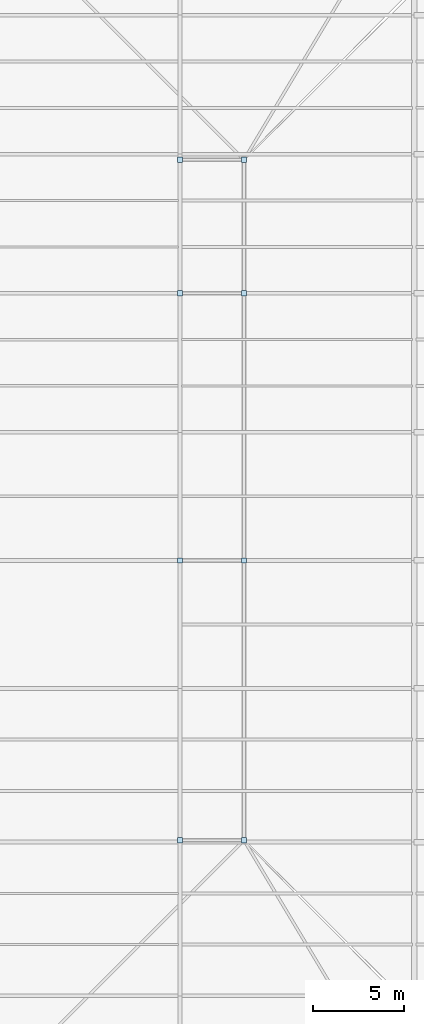
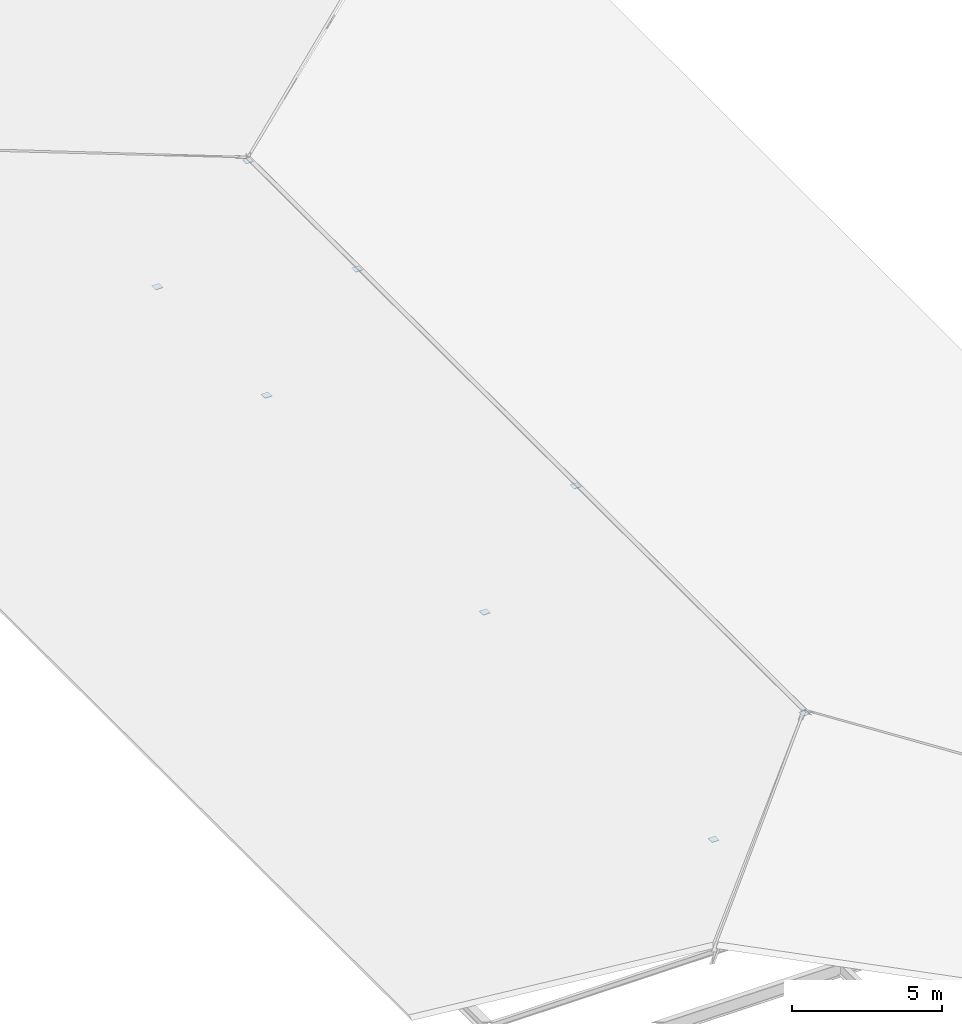
# One storey, part 14 of 14: 8 plates.
"""IFC4 building model written with IfcOpenShell, lengths in metres."""

import ifcopenshell
import ifcopenshell.guid

model = None  # the IFC model being written
_history = None  # IfcOwnerHistory: only IFC2X3 demands one
_inside = {}  # id of a spatial element -> (the spatial element, [elements in it])
_under = {}  # id of a project, library or spatial element -> (it, [spatial elements below it])
_declared = {}  # id of a project -> (the project, [libraries it declares])
_typed = {}  # id of a type object -> (the type object, [elements of that type])
_made_of = {}  # id of a material, layer set ... -> (it, [elements and type objects made of it])


def new_model(schema):
    """Start an empty IFC model of exactly this schema.

    Asked for "IFC4X3", IfcOpenShell would pick the latest addendum, in which some entities
    have other attributes; the version numbers below select the first issue.
    IFC2X3 requires an IfcOwnerHistory on every rooted entity: one is made here for all.
    """
    global model, _history
    if schema == "IFC4X3":
        model = ifcopenshell.file(schema_version=(4, 3, 0, 0))
    else:
        model = ifcopenshell.file(schema=schema)
    _inside.clear()
    _under.clear()
    _declared.clear()
    _typed.clear()
    _made_of.clear()
    _history = None
    if model.schema == "IFC2X3":
        org = make("IfcOrganization", Name="unknown")
        user = make(
            "IfcPersonAndOrganization",
            ThePerson=make("IfcPerson", FamilyName="unknown"),
            TheOrganization=org,
        )
        app = make(
            "IfcApplication",
            ApplicationDeveloper=org,
            Version="unknown",
            ApplicationFullName="unknown",
            ApplicationIdentifier="unknown",
        )
        _history = make(
            "IfcOwnerHistory",
            OwningUser=user,
            OwningApplication=app,
            ChangeAction="ADDED",
            CreationDate=0,
        )
    return model


def make(cls, **values):
    """One entity of the class cls with the attributes given. An attribute that is None is left unset."""
    return model.create_entity(
        cls, **{name: value for name, value in values.items() if value is not None}
    )


def rooted(cls, **values):
    """An entity with a GlobalId (a new one), such as an element, a storey or a relation."""
    return make(cls, GlobalId=ifcopenshell.guid.new(), OwnerHistory=_history, **values)


def si_unit(unit_type, name, prefix=None):
    """IfcSIUnit, for example si_unit("LENGTHUNIT", "METRE", prefix="MILLI")."""
    return make("IfcSIUnit", UnitType=unit_type, Prefix=prefix, Name=name)


def assignment(units):
    """IfcUnitAssignment: the units of a project."""
    return None if units is None else make("IfcUnitAssignment", Units=units)


def point(xyz):
    """IfcCartesianPoint."""
    return None if xyz is None else make("IfcCartesianPoint", Coordinates=xyz)


def direction(xyz):
    """IfcDirection."""
    return None if xyz is None else make("IfcDirection", DirectionRatios=xyz)


def frame(location, z_axis=None, x_axis=None):
    """IfcAxis2Placement3D, a coordinate frame: its origin and axes. An axis left out is left unset."""
    return make(
        "IfcAxis2Placement3D",
        Location=point(location),
        Axis=direction(z_axis),
        RefDirection=direction(x_axis),
    )


def frame_2d(location, x_axis=None):
    """IfcAxis2Placement2D, a coordinate frame in the plane: its origin and x axis."""
    return make(
        "IfcAxis2Placement2D", Location=point(location), RefDirection=direction(x_axis)
    )


def origin():
    """The frame at (0, 0, 0) with its axes left unset."""
    return frame((0.0, 0.0, 0.0))


def origin_2d():
    """The frame at (0, 0) in the plane with its x axis left unset."""
    return frame_2d((0.0, 0.0))


def place(relative_to, where):
    """IfcLocalPlacement: puts the frame where relative to a parent placement (None: the world)."""
    return make(
        "IfcLocalPlacement", PlacementRelTo=relative_to, RelativePlacement=where
    )


def context(
    kind, dimensions, precision=None, world=None, true_north=None, identifier=None
):
    """IfcGeometricRepresentationContext, for example the 3D "Model" context."""
    return make(
        "IfcGeometricRepresentationContext",
        ContextIdentifier=identifier,
        ContextType=kind,
        CoordinateSpaceDimension=dimensions,
        Precision=precision,
        WorldCoordinateSystem=world,
        TrueNorth=true_north,
    )


def subcontext(parent, identifier, kind, view, scale=None):
    """IfcGeometricRepresentationSubContext, for example "Body" below "Model"."""
    return make(
        "IfcGeometricRepresentationSubContext",
        ContextIdentifier=identifier,
        ContextType=kind,
        ParentContext=parent,
        TargetScale=scale,
        TargetView=view,
    )


def project(units=None, contexts=None):
    """IfcProject with its units and contexts."""
    return rooted(
        "IfcProject",
        Name="project",
        RepresentationContexts=contexts,
        UnitsInContext=assignment(units),
    )


def spatial(cls, under=None, at=None, **own):
    """A site, building, storey or space (cls), placed at a placement, below another one or the project."""
    s = rooted(cls, ObjectPlacement=at, **own)
    if under is not None:
        _under.setdefault(under.id(), (under, []))[1].append(s)
    return s


def profile(cls, at=None, kind="AREA", **sizes):
    """A parametric profile (cls). Its sizes go by their IFC names, for example OverallWidth=200.0."""
    return make(cls, ProfileType=kind, Position=at, **sizes)


def rectangle(**sizes):
    """IfcRectangleProfileDef."""
    return profile("IfcRectangleProfileDef", **sizes)


def extrude(swept, where, along, depth):
    """IfcExtrudedAreaSolid: the profile swept, set in the frame where, extruded along a direction by depth."""
    return make(
        "IfcExtrudedAreaSolid",
        SweptArea=swept,
        Position=where,
        ExtrudedDirection=direction(along),
        Depth=depth,
    )


def shape(context_of_items, identifier, shape_type, items):
    """IfcShapeRepresentation: the items that make up one representation, for example the "Body"."""
    return make(
        "IfcShapeRepresentation",
        ContextOfItems=context_of_items,
        RepresentationIdentifier=identifier,
        RepresentationType=shape_type,
        Items=items,
    )


def material(Name=None, Category=None):
    """IfcMaterial."""
    return make("IfcMaterial", Name=Name, Category=Category)


def layer(
    of_material, thickness, ventilated=None, Name=None, Category=None, Priority=None
):
    """IfcMaterialLayer: one layer of a wall or slab, of a material (None: an air gap)."""
    return make(
        "IfcMaterialLayer",
        Material=of_material,
        LayerThickness=thickness,
        IsVentilated=ventilated,
        Name=Name,
        Category=Category,
        Priority=Priority,
    )


def layer_set(layers, Name=None):
    """IfcMaterialLayerSet."""
    return make("IfcMaterialLayerSet", MaterialLayers=layers, LayerSetName=Name)


def made_of(thing, what):
    """Note that an element or type object is made of a material, layer set ...; save() writes the relation."""
    if what is not None:
        _made_of.setdefault(what.id(), (what, []))[1].append(thing)
    return thing


def type_object(cls, material=None, **own):
    """A type object (cls), such as IfcWallType, which elements share."""
    return made_of(rooted(cls, **own), material)


def element(
    cls,
    number,
    at=None,
    inside=None,
    cuts=None,
    type_object=None,
    material=None,
    context=None,
    identifier="Body",
    shape_type=None,
    held_by="IfcProductDefinitionShape",
    body=None,
    shapes=None,
    **own,
):
    """One element of the class cls, such as IfcWall. Its Tag is "e" and its number.

    at: its placement. inside: the storey or other place that contains it. cuts: it is an
    opening in that element (IfcRelVoidsElement). A single representation is given by context,
    identifier, shape_type and body (its items); several are given by shapes. held_by: the class
    of the entity that holds the representations. save() writes the other relations.
    """
    e = rooted(cls, Tag="e%d" % number, ObjectPlacement=at, **own)
    if body is not None:
        shapes = [shape(context, identifier, shape_type, body)]
    if shapes is not None:
        e.Representation = make(held_by, Representations=shapes)
    if inside is not None:
        _inside.setdefault(inside.id(), (inside, []))[1].append(e)
    if cuts is not None:
        rooted(
            "IfcRelVoidsElement", RelatingBuildingElement=cuts, RelatedOpeningElement=e
        )
    if type_object is not None:
        _typed.setdefault(type_object.id(), (type_object, []))[1].append(e)
    return made_of(e, material)


def aggregate(whole, parts):
    """IfcRelAggregates: a whole, such as a stair, and the parts it consists of."""
    return rooted("IfcRelAggregates", RelatingObject=whole, RelatedObjects=parts)


def save(model, path):
    """Write the relations noted so far, then the file.

    IfcRelAggregates (storeys below a building ...), IfcRelContainedInSpatialStructure (elements
    in a storey), IfcRelDefinesByType, IfcRelAssociatesMaterial and IfcRelDeclares: one each for
    every whole, place, type object, material and project.
    """
    for whole, parts in _under.values():
        aggregate(whole, parts)
    for where, things in _inside.values():
        rooted(
            "IfcRelContainedInSpatialStructure",
            RelatedElements=things,
            RelatingStructure=where,
        )
    for kind, things in _typed.values():
        rooted("IfcRelDefinesByType", RelatedObjects=things, RelatingType=kind)
    for what, things in _made_of.values():
        rooted("IfcRelAssociatesMaterial", RelatedObjects=things, RelatingMaterial=what)
    for by, libraries in _declared.values():
        rooted("IfcRelDeclares", RelatingContext=by, RelatedDefinitions=libraries)
    model.write(path)


model = new_model("IFC4")

# Units and contexts
model_context = context("Model", 3, precision=1e-05, world=origin(), true_north=direction((0.0, 1.0)))
body_context = subcontext(model_context, "Body", "Model", "MODEL_VIEW")
ifc_project = project(units=[si_unit("LENGTHUNIT", "METRE"), si_unit("AREAUNIT", "SQUARE_METRE"), si_unit("VOLUMEUNIT", "CUBIC_METRE"), si_unit("PLANEANGLEUNIT", "RADIAN"), si_unit("MASSUNIT", "GRAM", prefix="KILO")], contexts=[model_context])

# Site, building, storey
site_placement = place(None, origin())
site = spatial("IfcSite", under=ifc_project, at=site_placement, CompositionType="ELEMENT")
building_placement = place(site_placement, origin())
building = spatial("IfcBuilding", under=site, at=building_placement, Name="Vekula Escarpment Museum", CompositionType="ELEMENT")
storey_placement = place(building_placement, frame((0.0, 0.0, 30.60009765625)))
storey = spatial("IfcBuildingStorey", under=building, at=storey_placement, Name="RF", CompositionType="ELEMENT", Elevation=30.60009765625)

# Plates
ifc_material = material(Name="Steel S355", Category="steel")
ifc_layer = layer(ifc_material, 0.01611328125)
ifc_layer_set = layer_set([ifc_layer], Name="Steel S355")
plate_type = type_object("IfcPlateType", Name="PL-CAP-16", PredefinedType="SHEET", material=ifc_layer_set)
for number, where, z_axis, x_axis, name in (
    (1, (179.0, 68.10009765625, -0.365234375), (0.0, 0.0, 1.0), (1.0, 0.0, 0.0), "Hollow section end cap CP-16"),
    (2, (182.5, 68.10009765625, 3.55908203125), (0.0, 0.0, 1.0), (1.0, 0.0, 0.0), "Hollow section end cap CP-16"),
    (3, (179.0, 83.39990234375, -0.365234375), (0.0, 0.0, 1.0), (1.0, 0.0, 0.0), "Hollow section end cap CP-16"),
    (4, (182.5, 83.39990234375, 3.55908203125), (0.0, 0.0, 1.0), (1.0, 0.0, 0.0), "Hollow section end cap CP-16"),
    (5, (179.0, 98.0, -0.365234375), (0.0, 0.0, 1.0), (1.0, 0.0, 0.0), "Hollow section end cap CP-16"),
    (6, (182.5, 98.0, 3.55908203125), (0.0, 0.0, 1.0), (1.0, 0.0, 0.0), "Hollow section end cap CP-16"),
    (7, (179.0, 105.300048828125, -0.365234375), (0.0, 0.0, 1.0), (1.0, 0.0, 0.0), "Hollow section end cap CP-16"),
    (8, (182.5, 105.300048828125, 3.55908203125), (0.0, 0.0, 1.0), (1.0, 0.0, 0.0), "Hollow section end cap CP-16"),
):
    element("IfcPlate", number, at=place(storey_placement, frame(where, z_axis=z_axis, x_axis=x_axis)), inside=storey, type_object=plate_type, Name=name, PredefinedType="SHEET", context=body_context, shape_type="SweptSolid", body=[
        extrude(rectangle(XDim=0.280029296875, YDim=0.280029296875, at=origin_2d()), origin(), (0.0, 0.0, 1.0), 0.01611328125),
    ])

save(model, "model.ifc")
